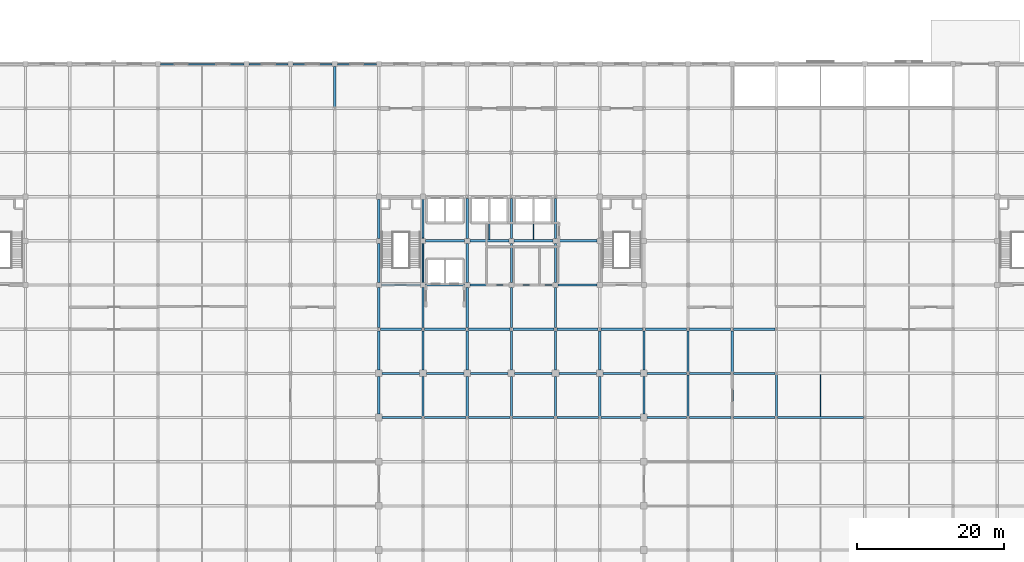
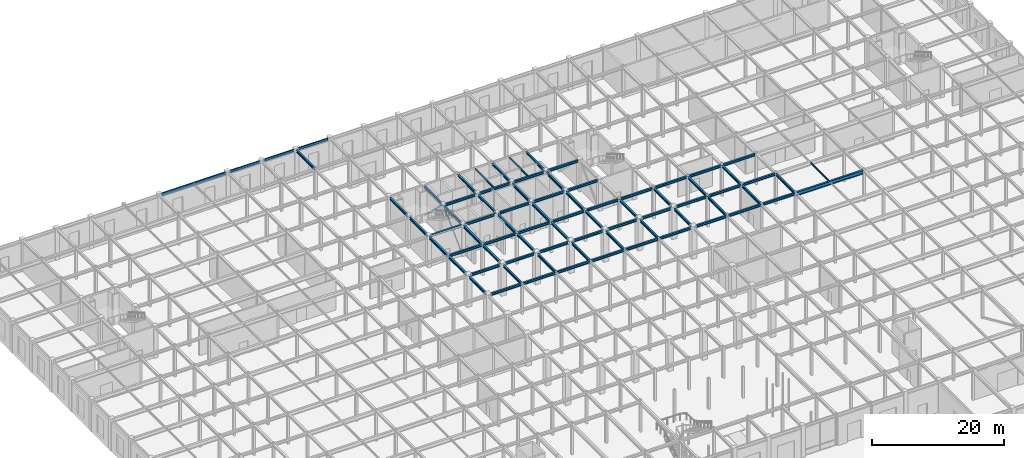
# One storey, part 35 of 51: 79 beams, 2 members.
"""IFC4 building model written with IfcOpenShell, lengths in metres."""

from ifc_helpers import new_model, si_unit, direction, frame, origin, origin_2d, place, context, subcontext, project, spatial, hollow_rectangle, hollow_circle, i_section, extrude, material, material_profile, profile_set, type_object, element, save


model = new_model("IFC4")

# Units and contexts
model_context = context("Model", 3, precision=1e-05, world=origin(), true_north=direction((0.0, 1.0)))
body_context = subcontext(model_context, "Body", "Model", "MODEL_VIEW")
ifc_project = project(units=[si_unit("LENGTHUNIT", "METRE"), si_unit("AREAUNIT", "SQUARE_METRE"), si_unit("VOLUMEUNIT", "CUBIC_METRE"), si_unit("PLANEANGLEUNIT", "RADIAN"), si_unit("MASSUNIT", "GRAM", prefix="KILO")], contexts=[model_context])

# Site, building, storey
site_placement = place(None, origin())
site = spatial("IfcSite", under=ifc_project, at=site_placement, CompositionType="ELEMENT")
building_placement = place(site_placement, origin())
building = spatial("IfcBuilding", under=site, at=building_placement, Name="Zlatovratsky Civic Hall", CompositionType="ELEMENT")
storey_placement = place(building_placement, origin())
storey = spatial("IfcBuildingStorey", under=building, at=storey_placement, Name="L01", CompositionType="ELEMENT", Elevation=0.0)

# Beams
ifc_material = material(Name="Steel S355", Category="steel")
ifc_material_profile_1 = material_profile(ifc_material, i_section(OverallWidth=0.320068359375, OverallDepth=0.68310546875, WebThickness=0.012939453125, FlangeThickness=0.01904296875, FilletRadius=0.02587890625, at=origin_2d()), Name="70Sh1")
ifc_profile_set_1 = profile_set([ifc_material_profile_1], Name="Steel S355")
beam_type_1 = type_object("IfcBeamType", Name="Beam_HallGirder_70Sh1", PredefinedType="BEAM", material=ifc_profile_set_1)
beam_1_placement = place(storey_placement, frame((120.175048828125, 66.0, 5.41845703125), z_axis=(1.0, 0.0, 0.0), x_axis=(0.0, 1.0, 0.0)))
element("IfcBeam", 1, at=beam_1_placement, inside=storey, type_object=beam_type_1, Name="BM-1070", PredefinedType="BEAM", context=body_context, shape_type="SweptSolid", body=[
    extrude(i_section(OverallWidth=0.320068359375, OverallDepth=0.68310546875, WebThickness=0.012939453125, FlangeThickness=0.01904296875, FilletRadius=0.02587890625, at=origin_2d()), origin(), (0.0, 0.0, 1.0), 11.64990234375),
])
ifc_material_profile_2 = material_profile(ifc_material, i_section(OverallWidth=0.198974609375, OverallDepth=0.491943359375, WebThickness=0.0087890625, FlangeThickness=0.011962890625, FilletRadius=0.01611328125, at=origin_2d()), Name="50B1")
ifc_profile_set_2 = profile_set([ifc_material_profile_2], Name="Steel S355")
beam_type_2 = type_object("IfcBeamType", Name="Beam_Spandrel_50B1", PredefinedType="SPANDREL", material=ifc_profile_set_2)
for number, where, z_axis, x_axis, name in (
    (2, (48.35009765625, 114.0, 5.513916015625), (1.0, 0.0, 0.0), (0.0, 1.0, 0.0), "BM-1230"),
    (3, (54.35009765625, 114.0, 5.513916015625), (1.0, 0.0, 0.0), (0.0, 1.0, 0.0), "BM-1231"),
    (4, (60.35009765625, 114.0, 5.513916015625), (1.0, 0.0, 0.0), (0.0, 1.0, 0.0), "BM-1232"),
):
    element("IfcBeam", number, at=place(storey_placement, frame(where, z_axis=z_axis, x_axis=x_axis)), inside=storey, type_object=beam_type_2, Name=name, PredefinedType="SPANDREL", context=body_context, shape_type="SweptSolid", body=[
        extrude(i_section(OverallWidth=0.198974609375, OverallDepth=0.491943359375, WebThickness=0.0087890625, FlangeThickness=0.011962890625, FilletRadius=0.01611328125, at=origin_2d()), origin(), (0.0, 0.0, 1.0), 5.2998046875),
    ])
ifc_material_profile_3 = material_profile(ifc_material, i_section(OverallWidth=0.198974609375, OverallDepth=0.593017578125, WebThickness=0.010498046875, FlangeThickness=0.014892578125, FilletRadius=0.01806640625, at=origin_2d()), Name="60B1")
ifc_profile_set_3 = profile_set([ifc_material_profile_3], Name="Steel S355")
beam_type_3 = type_object("IfcBeamType", Name="Beam_Spandrel_60B1", PredefinedType="SPANDREL", material=ifc_profile_set_3)
beam_2_placement = place(storey_placement, frame((36.35009765625, 114.0, 5.46337890625), z_axis=(1.0, 0.0, 0.0), x_axis=(0.0, 1.0, 0.0)))
element("IfcBeam", 5, at=beam_2_placement, inside=storey, type_object=beam_type_3, Name="BM-1229", PredefinedType="SPANDREL", context=body_context, shape_type="SweptSolid", body=[
    extrude(i_section(OverallWidth=0.198974609375, OverallDepth=0.593017578125, WebThickness=0.010498046875, FlangeThickness=0.014892578125, FilletRadius=0.01806640625, at=origin_2d()), origin(), (0.0, 0.0, 1.0), 11.2998046875),
])
ifc_material_profile_4 = material_profile(ifc_material, i_section(OverallWidth=0.300048828125, OverallDepth=0.43994140625, WebThickness=0.010986328125, FlangeThickness=0.01806640625, FilletRadius=0.02197265625, at=origin_2d()), Name="45Sh1")
ifc_profile_set_4 = profile_set([ifc_material_profile_4], Name="Steel S355")
beam_type_4 = type_object("IfcBeamType", Name="Beam_TowerLow_45Sh1", PredefinedType="BEAM", material=ifc_profile_set_4)
beam_3_placement = place(storey_placement, frame((66.449951171875, 66.0, 5.5400390625), z_axis=(1.0, 0.0, 0.0), x_axis=(0.0, 1.0, 0.0)))
element("IfcBeam", 6, at=beam_3_placement, inside=storey, type_object=beam_type_4, Name="BM-1061", PredefinedType="BEAM", context=body_context, shape_type="SweptSolid", body=[
    extrude(i_section(OverallWidth=0.300048828125, OverallDepth=0.43994140625, WebThickness=0.010986328125, FlangeThickness=0.01806640625, FilletRadius=0.02197265625, at=origin_2d()), origin(), (0.0, 0.0, 1.0), 5.375),
])
for number, where, z_axis, x_axis, name in (
    (7, (72.175048828125, 66.0, 5.5400390625), (1.0, 0.0, 0.0), (0.0, 1.0, 0.0), "BM-1062"),
    (8, (78.175048828125, 66.0, 5.5400390625), (1.0, 0.0, 0.0), (0.0, 1.0, 0.0), "BM-1063"),
    (9, (84.175048828125, 66.0, 5.5400390625), (1.0, 0.0, 0.0), (0.0, 1.0, 0.0), "BM-1064"),
    (10, (90.175048828125, 66.0, 5.5400390625), (1.0, 0.0, 0.0), (0.0, 1.0, 0.0), "BM-1065"),
):
    element("IfcBeam", number, at=place(storey_placement, frame(where, z_axis=z_axis, x_axis=x_axis)), inside=storey, type_object=beam_type_4, Name=name, PredefinedType="BEAM", context=body_context, shape_type="SweptSolid", body=[
        extrude(i_section(OverallWidth=0.300048828125, OverallDepth=0.43994140625, WebThickness=0.010986328125, FlangeThickness=0.01806640625, FilletRadius=0.02197265625, at=origin_2d()), origin(), (0.0, 0.0, 1.0), 5.64990234375),
    ])
for number, where, z_axis, x_axis, name in (
    (11, (96.175048828125, 66.0, 5.5400390625), (1.0, 0.0, 0.0), (0.0, 1.0, 0.0), "BM-1066"),
    (12, (102.449951171875, 66.0, 5.5400390625), (1.0, 0.0, 0.0), (0.0, 1.0, 0.0), "BM-1067"),
):
    element("IfcBeam", number, at=place(storey_placement, frame(where, z_axis=z_axis, x_axis=x_axis)), inside=storey, type_object=beam_type_4, Name=name, PredefinedType="BEAM", context=body_context, shape_type="SweptSolid", body=[
        extrude(i_section(OverallWidth=0.300048828125, OverallDepth=0.43994140625, WebThickness=0.010986328125, FlangeThickness=0.01806640625, FilletRadius=0.02197265625, at=origin_2d()), origin(), (0.0, 0.0, 1.0), 5.375),
    ])
for number, where, z_axis, x_axis, name in (
    (13, (108.175048828125, 66.0, 5.5400390625), (1.0, 0.0, 0.0), (0.0, 1.0, 0.0), "BM-1068"),
    (14, (114.175048828125, 66.0, 5.5400390625), (1.0, 0.0, 0.0), (0.0, 1.0, 0.0), "BM-1069"),
):
    element("IfcBeam", number, at=place(storey_placement, frame(where, z_axis=z_axis, x_axis=x_axis)), inside=storey, type_object=beam_type_4, Name=name, PredefinedType="BEAM", context=body_context, shape_type="SweptSolid", body=[
        extrude(i_section(OverallWidth=0.300048828125, OverallDepth=0.43994140625, WebThickness=0.010986328125, FlangeThickness=0.01806640625, FilletRadius=0.02197265625, at=origin_2d()), origin(), (0.0, 0.0, 1.0), 5.64990234375),
    ])
for number, where, z_axis, x_axis, name in (
    (15, (66.449951171875, 72.0, 5.5400390625), (1.0, 0.0, 0.0), (0.0, 1.0, 0.0), "BM-1083"),
    (16, (72.449951171875, 72.0, 5.5400390625), (1.0, 0.0, 0.0), (0.0, 1.0, 0.0), "BM-1084"),
    (17, (78.449951171875, 72.0, 5.5400390625), (1.0, 0.0, 0.0), (0.0, 1.0, 0.0), "BM-1085"),
    (18, (84.449951171875, 72.0, 5.5400390625), (1.0, 0.0, 0.0), (0.0, 1.0, 0.0), "BM-1086"),
    (19, (90.449951171875, 72.0, 5.5400390625), (1.0, 0.0, 0.0), (0.0, 1.0, 0.0), "BM-1087"),
    (20, (96.449951171875, 72.0, 5.5400390625), (1.0, 0.0, 0.0), (0.0, 1.0, 0.0), "BM-1088"),
):
    element("IfcBeam", number, at=place(storey_placement, frame(where, z_axis=z_axis, x_axis=x_axis)), inside=storey, type_object=beam_type_4, Name=name, PredefinedType="BEAM", context=body_context, shape_type="SweptSolid", body=[
        extrude(i_section(OverallWidth=0.300048828125, OverallDepth=0.43994140625, WebThickness=0.010986328125, FlangeThickness=0.01806640625, FilletRadius=0.02197265625, at=origin_2d()), origin(), (0.0, 0.0, 1.0), 5.10009765625),
    ])
beam_4_placement = place(storey_placement, frame((102.449951171875, 72.0, 5.5400390625), z_axis=(1.0, 0.0, 0.0), x_axis=(0.0, 1.0, 0.0)))
element("IfcBeam", 21, at=beam_4_placement, inside=storey, type_object=beam_type_4, Name="BM-1089", PredefinedType="BEAM", context=body_context, shape_type="SweptSolid", body=[
    extrude(i_section(OverallWidth=0.300048828125, OverallDepth=0.43994140625, WebThickness=0.010986328125, FlangeThickness=0.01806640625, FilletRadius=0.02197265625, at=origin_2d()), origin(), (0.0, 0.0, 1.0), 5.345458984375),
])
beam_5_placement = place(storey_placement, frame((108.20458984375, 72.0, 5.5400390625), z_axis=(1.0, 0.0, 0.0), x_axis=(0.0, 1.0, 0.0)))
element("IfcBeam", 22, at=beam_5_placement, inside=storey, type_object=beam_type_4, Name="BM-1090", PredefinedType="BEAM", context=body_context, shape_type="SweptSolid", body=[
    extrude(i_section(OverallWidth=0.300048828125, OverallDepth=0.43994140625, WebThickness=0.010986328125, FlangeThickness=0.01806640625, FilletRadius=0.02197265625, at=origin_2d()), origin(), (0.0, 0.0, 1.0), 5.5908203125),
])
beam_6_placement = place(storey_placement, frame((114.20458984375, 72.0, 5.5400390625), z_axis=(1.0, 0.0, 0.0), x_axis=(0.0, 1.0, 0.0)))
element("IfcBeam", 23, at=beam_6_placement, inside=storey, type_object=beam_type_4, Name="BM-1091", PredefinedType="BEAM", context=body_context, shape_type="SweptSolid", body=[
    extrude(i_section(OverallWidth=0.300048828125, OverallDepth=0.43994140625, WebThickness=0.010986328125, FlangeThickness=0.01806640625, FilletRadius=0.02197265625, at=origin_2d()), origin(), (0.0, 0.0, 1.0), 5.620361328125),
])
for number, where, z_axis, x_axis, name in (
    (24, (66.20458984375, 78.0, 5.5400390625), (1.0, 0.0, 0.0), (0.0, 1.0, 0.0), "BM-1105"),
    (25, (72.20458984375, 78.0, 5.5400390625), (1.0, 0.0, 0.0), (0.0, 1.0, 0.0), "BM-1106"),
    (26, (78.20458984375, 78.0, 5.5400390625), (1.0, 0.0, 0.0), (0.0, 1.0, 0.0), "BM-1107"),
    (27, (84.20458984375, 78.0, 5.5400390625), (1.0, 0.0, 0.0), (0.0, 1.0, 0.0), "BM-1108"),
    (28, (90.20458984375, 78.0, 5.5400390625), (1.0, 0.0, 0.0), (0.0, 1.0, 0.0), "BM-1109"),
    (29, (96.20458984375, 78.0, 5.5400390625), (1.0, 0.0, 0.0), (0.0, 1.0, 0.0), "BM-1110"),
    (30, (102.20458984375, 78.0, 5.5400390625), (1.0, 0.0, 0.0), (0.0, 1.0, 0.0), "BM-1111"),
    (31, (108.20458984375, 78.0, 5.5400390625), (1.0, 0.0, 0.0), (0.0, 1.0, 0.0), "BM-1112"),
):
    element("IfcBeam", number, at=place(storey_placement, frame(where, z_axis=z_axis, x_axis=x_axis)), inside=storey, type_object=beam_type_4, Name=name, PredefinedType="BEAM", context=body_context, shape_type="SweptSolid", body=[
        extrude(i_section(OverallWidth=0.300048828125, OverallDepth=0.43994140625, WebThickness=0.010986328125, FlangeThickness=0.01806640625, FilletRadius=0.02197265625, at=origin_2d()), origin(), (0.0, 0.0, 1.0), 5.5908203125),
    ])
beam_7_placement = place(storey_placement, frame((114.20458984375, 78.0, 5.5400390625), z_axis=(1.0, 0.0, 0.0), x_axis=(0.0, 1.0, 0.0)))
element("IfcBeam", 32, at=beam_7_placement, inside=storey, type_object=beam_type_4, Name="BM-1113", PredefinedType="BEAM", context=body_context, shape_type="SweptSolid", body=[
    extrude(i_section(OverallWidth=0.300048828125, OverallDepth=0.43994140625, WebThickness=0.010986328125, FlangeThickness=0.01806640625, FilletRadius=0.02197265625, at=origin_2d()), origin(), (0.0, 0.0, 1.0), 5.620361328125),
])
for number, where, z_axis, x_axis, name in (
    (33, (66.35009765625, 84.0, 5.5400390625), (1.0, 0.0, 0.0), (0.0, 1.0, 0.0), "BM-1127"),
    (34, (72.35009765625, 84.0, 5.5400390625), (1.0, 0.0, 0.0), (0.0, 1.0, 0.0), "BM-1128"),
    (35, (78.35009765625, 84.0, 5.5400390625), (1.0, 0.0, 0.0), (0.0, 1.0, 0.0), "BM-1129"),
    (36, (84.35009765625, 84.0, 5.5400390625), (1.0, 0.0, 0.0), (0.0, 1.0, 0.0), "BM-1130"),
    (37, (90.35009765625, 84.0, 5.5400390625), (1.0, 0.0, 0.0), (0.0, 1.0, 0.0), "BM-1131"),
    (38, (72.35009765625, 90.0, 5.5400390625), (1.0, 0.0, 0.0), (0.0, 1.0, 0.0), "BM-1148"),
    (39, (78.35009765625, 90.0, 5.5400390625), (1.0, 0.0, 0.0), (0.0, 1.0, 0.0), "BM-1149"),
    (40, (84.35009765625, 90.0, 5.5400390625), (1.0, 0.0, 0.0), (0.0, 1.0, 0.0), "BM-1150"),
    (41, (90.35009765625, 90.0, 5.5400390625), (1.0, 0.0, 0.0), (0.0, 1.0, 0.0), "BM-1151"),
):
    element("IfcBeam", number, at=place(storey_placement, frame(where, z_axis=z_axis, x_axis=x_axis)), inside=storey, type_object=beam_type_4, Name=name, PredefinedType="BEAM", context=body_context, shape_type="SweptSolid", body=[
        extrude(i_section(OverallWidth=0.300048828125, OverallDepth=0.43994140625, WebThickness=0.010986328125, FlangeThickness=0.01806640625, FilletRadius=0.02197265625, at=origin_2d()), origin(), (0.0, 0.0, 1.0), 5.2998046875),
    ])
beam_8_placement = place(storey_placement, frame((60.0, 108.214599609375, 5.5400390625), z_axis=(0.0, 1.0, 0.0), x_axis=(-1.0, 0.0, 0.0)))
element("IfcBeam", 42, at=beam_8_placement, inside=storey, type_object=beam_type_4, Name="BM-1381", PredefinedType="BEAM", context=body_context, shape_type="SweptSolid", body=[
    extrude(i_section(OverallWidth=0.300048828125, OverallDepth=0.43994140625, WebThickness=0.010986328125, FlangeThickness=0.01806640625, FilletRadius=0.02197265625, at=origin_2d()), origin(), (0.0, 0.0, 1.0), 5.435302734375),
])
beam_9_placement = place(storey_placement, frame((66.0, 66.449951171875, 5.5400390625), z_axis=(0.0, 1.0, 0.0), x_axis=(-1.0, 0.0, 0.0)))
element("IfcBeam", 43, at=beam_9_placement, inside=storey, type_object=beam_type_4, Name="BM-1390", PredefinedType="BEAM", context=body_context, shape_type="SweptSolid", body=[
    extrude(i_section(OverallWidth=0.300048828125, OverallDepth=0.43994140625, WebThickness=0.010986328125, FlangeThickness=0.01806640625, FilletRadius=0.02197265625, at=origin_2d()), origin(), (0.0, 0.0, 1.0), 5.10009765625),
])
beam_10_placement = place(storey_placement, frame((66.0, 72.449951171875, 5.5400390625), z_axis=(0.0, 1.0, 0.0), x_axis=(-1.0, 0.0, 0.0)))
element("IfcBeam", 44, at=beam_10_placement, inside=storey, type_object=beam_type_4, Name="BM-1391", PredefinedType="BEAM", context=body_context, shape_type="SweptSolid", body=[
    extrude(i_section(OverallWidth=0.300048828125, OverallDepth=0.43994140625, WebThickness=0.010986328125, FlangeThickness=0.01806640625, FilletRadius=0.02197265625, at=origin_2d()), origin(), (0.0, 0.0, 1.0), 5.33544921875),
])
beam_11_placement = place(storey_placement, frame((66.0, 78.214599609375, 5.5400390625), z_axis=(0.0, 1.0, 0.0), x_axis=(-1.0, 0.0, 0.0)))
element("IfcBeam", 45, at=beam_11_placement, inside=storey, type_object=beam_type_4, Name="BM-1392", PredefinedType="BEAM", context=body_context, shape_type="SweptSolid", body=[
    extrude(i_section(OverallWidth=0.300048828125, OverallDepth=0.43994140625, WebThickness=0.010986328125, FlangeThickness=0.01806640625, FilletRadius=0.02197265625, at=origin_2d()), origin(), (0.0, 0.0, 1.0), 5.435302734375),
])
for number, where, z_axis, x_axis, name in (
    (46, (66.0, 84.35009765625, 5.5400390625), (0.0, 1.0, 0.0), (-1.0, 0.0, 0.0), "BM-1393"),
    (47, (66.0, 90.35009765625, 5.5400390625), (0.0, 1.0, 0.0), (-1.0, 0.0, 0.0), "BM-1394"),
):
    element("IfcBeam", number, at=place(storey_placement, frame(where, z_axis=z_axis, x_axis=x_axis)), inside=storey, type_object=beam_type_4, Name=name, PredefinedType="BEAM", context=body_context, shape_type="SweptSolid", body=[
        extrude(i_section(OverallWidth=0.300048828125, OverallDepth=0.43994140625, WebThickness=0.010986328125, FlangeThickness=0.01806640625, FilletRadius=0.02197265625, at=origin_2d()), origin(), (0.0, 0.0, 1.0), 5.2998046875),
    ])
beam_12_placement = place(storey_placement, frame((72.0, 66.17138671875, 5.5400390625), z_axis=(0.0, 1.0, 0.0), x_axis=(-1.0, 0.0, 0.0)))
element("IfcBeam", 48, at=beam_12_placement, inside=storey, type_object=beam_type_4, Name="BM-1406", PredefinedType="BEAM", context=body_context, shape_type="SweptSolid", body=[
    extrude(i_section(OverallWidth=0.300048828125, OverallDepth=0.43994140625, WebThickness=0.010986328125, FlangeThickness=0.01806640625, FilletRadius=0.02197265625, at=origin_2d()), origin(), (0.0, 0.0, 1.0), 5.378662109375),
])
beam_13_placement = place(storey_placement, frame((72.0, 72.449951171875, 5.5400390625), z_axis=(0.0, 1.0, 0.0), x_axis=(-1.0, 0.0, 0.0)))
element("IfcBeam", 49, at=beam_13_placement, inside=storey, type_object=beam_type_4, Name="BM-1407", PredefinedType="BEAM", context=body_context, shape_type="SweptSolid", body=[
    extrude(i_section(OverallWidth=0.300048828125, OverallDepth=0.43994140625, WebThickness=0.010986328125, FlangeThickness=0.01806640625, FilletRadius=0.02197265625, at=origin_2d()), origin(), (0.0, 0.0, 1.0), 5.33544921875),
])
beam_14_placement = place(storey_placement, frame((72.0, 78.214599609375, 5.5400390625), z_axis=(0.0, 1.0, 0.0), x_axis=(-1.0, 0.0, 0.0)))
element("IfcBeam", 50, at=beam_14_placement, inside=storey, type_object=beam_type_4, Name="BM-1408", PredefinedType="BEAM", context=body_context, shape_type="SweptSolid", body=[
    extrude(i_section(OverallWidth=0.300048828125, OverallDepth=0.43994140625, WebThickness=0.010986328125, FlangeThickness=0.01806640625, FilletRadius=0.02197265625, at=origin_2d()), origin(), (0.0, 0.0, 1.0), 5.435302734375),
])
for number, where, z_axis, x_axis, name in (
    (51, (72.0, 84.35009765625, 5.5400390625), (0.0, 1.0, 0.0), (-1.0, 0.0, 0.0), "BM-1409"),
    (52, (72.0, 90.35009765625, 5.5400390625), (0.0, 1.0, 0.0), (-1.0, 0.0, 0.0), "BM-1410"),
):
    element("IfcBeam", number, at=place(storey_placement, frame(where, z_axis=z_axis, x_axis=x_axis)), inside=storey, type_object=beam_type_4, Name=name, PredefinedType="BEAM", context=body_context, shape_type="SweptSolid", body=[
        extrude(i_section(OverallWidth=0.300048828125, OverallDepth=0.43994140625, WebThickness=0.010986328125, FlangeThickness=0.01806640625, FilletRadius=0.02197265625, at=origin_2d()), origin(), (0.0, 0.0, 1.0), 5.2998046875),
    ])
beam_15_placement = place(storey_placement, frame((78.0, 66.17138671875, 5.5400390625), z_axis=(0.0, 1.0, 0.0), x_axis=(-1.0, 0.0, 0.0)))
element("IfcBeam", 53, at=beam_15_placement, inside=storey, type_object=beam_type_4, Name="BM-1420", PredefinedType="BEAM", context=body_context, shape_type="SweptSolid", body=[
    extrude(i_section(OverallWidth=0.300048828125, OverallDepth=0.43994140625, WebThickness=0.010986328125, FlangeThickness=0.01806640625, FilletRadius=0.02197265625, at=origin_2d()), origin(), (0.0, 0.0, 1.0), 5.378662109375),
])
beam_16_placement = place(storey_placement, frame((78.0, 72.449951171875, 5.5400390625), z_axis=(0.0, 1.0, 0.0), x_axis=(-1.0, 0.0, 0.0)))
element("IfcBeam", 54, at=beam_16_placement, inside=storey, type_object=beam_type_4, Name="BM-1421", PredefinedType="BEAM", context=body_context, shape_type="SweptSolid", body=[
    extrude(i_section(OverallWidth=0.300048828125, OverallDepth=0.43994140625, WebThickness=0.010986328125, FlangeThickness=0.01806640625, FilletRadius=0.02197265625, at=origin_2d()), origin(), (0.0, 0.0, 1.0), 5.33544921875),
])
beam_17_placement = place(storey_placement, frame((78.0, 78.214599609375, 5.5400390625), z_axis=(0.0, 1.0, 0.0), x_axis=(-1.0, 0.0, 0.0)))
element("IfcBeam", 55, at=beam_17_placement, inside=storey, type_object=beam_type_4, Name="BM-1422", PredefinedType="BEAM", context=body_context, shape_type="SweptSolid", body=[
    extrude(i_section(OverallWidth=0.300048828125, OverallDepth=0.43994140625, WebThickness=0.010986328125, FlangeThickness=0.01806640625, FilletRadius=0.02197265625, at=origin_2d()), origin(), (0.0, 0.0, 1.0), 5.435302734375),
])
beam_18_placement = place(storey_placement, frame((78.0, 84.35009765625, 5.5400390625), z_axis=(0.0, 1.0, 0.0), x_axis=(-1.0, 0.0, 0.0)))
element("IfcBeam", 56, at=beam_18_placement, inside=storey, type_object=beam_type_4, Name="BM-1423", PredefinedType="BEAM", context=body_context, shape_type="SweptSolid", body=[
    extrude(i_section(OverallWidth=0.300048828125, OverallDepth=0.43994140625, WebThickness=0.010986328125, FlangeThickness=0.01806640625, FilletRadius=0.02197265625, at=origin_2d()), origin(), (0.0, 0.0, 1.0), 5.2998046875),
])
beam_19_placement = place(storey_placement, frame((78.0, 90.35009765625, 5.5400390625), z_axis=(0.0, 1.0, 0.0), x_axis=(-1.0, 0.0, 0.0)))
element("IfcBeam", 57, at=beam_19_placement, inside=storey, type_object=beam_type_4, Name="BM-1424", PredefinedType="BEAM", context=body_context, shape_type="SweptSolid", body=[
    extrude(i_section(OverallWidth=0.300048828125, OverallDepth=0.43994140625, WebThickness=0.010986328125, FlangeThickness=0.01806640625, FilletRadius=0.02197265625, at=origin_2d()), origin(), (0.0, 0.0, 1.0), 5.435302734375),
])
beam_20_placement = place(storey_placement, frame((84.0, 66.17138671875, 5.5400390625), z_axis=(0.0, 1.0, 0.0), x_axis=(-1.0, 0.0, 0.0)))
element("IfcBeam", 58, at=beam_20_placement, inside=storey, type_object=beam_type_4, Name="BM-1434", PredefinedType="BEAM", context=body_context, shape_type="SweptSolid", body=[
    extrude(i_section(OverallWidth=0.300048828125, OverallDepth=0.43994140625, WebThickness=0.010986328125, FlangeThickness=0.01806640625, FilletRadius=0.02197265625, at=origin_2d()), origin(), (0.0, 0.0, 1.0), 5.378662109375),
])
beam_21_placement = place(storey_placement, frame((84.0, 72.449951171875, 5.5400390625), z_axis=(0.0, 1.0, 0.0), x_axis=(-1.0, 0.0, 0.0)))
element("IfcBeam", 59, at=beam_21_placement, inside=storey, type_object=beam_type_4, Name="BM-1435", PredefinedType="BEAM", context=body_context, shape_type="SweptSolid", body=[
    extrude(i_section(OverallWidth=0.300048828125, OverallDepth=0.43994140625, WebThickness=0.010986328125, FlangeThickness=0.01806640625, FilletRadius=0.02197265625, at=origin_2d()), origin(), (0.0, 0.0, 1.0), 5.33544921875),
])
beam_22_placement = place(storey_placement, frame((84.0, 78.214599609375, 5.5400390625), z_axis=(0.0, 1.0, 0.0), x_axis=(-1.0, 0.0, 0.0)))
element("IfcBeam", 60, at=beam_22_placement, inside=storey, type_object=beam_type_4, Name="BM-1436", PredefinedType="BEAM", context=body_context, shape_type="SweptSolid", body=[
    extrude(i_section(OverallWidth=0.300048828125, OverallDepth=0.43994140625, WebThickness=0.010986328125, FlangeThickness=0.01806640625, FilletRadius=0.02197265625, at=origin_2d()), origin(), (0.0, 0.0, 1.0), 5.435302734375),
])
beam_23_placement = place(storey_placement, frame((84.0, 84.35009765625, 5.5400390625), z_axis=(0.0, 1.0, 0.0), x_axis=(-1.0, 0.0, 0.0)))
element("IfcBeam", 61, at=beam_23_placement, inside=storey, type_object=beam_type_4, Name="BM-1437", PredefinedType="BEAM", context=body_context, shape_type="SweptSolid", body=[
    extrude(i_section(OverallWidth=0.300048828125, OverallDepth=0.43994140625, WebThickness=0.010986328125, FlangeThickness=0.01806640625, FilletRadius=0.02197265625, at=origin_2d()), origin(), (0.0, 0.0, 1.0), 5.2998046875),
])
beam_24_placement = place(storey_placement, frame((84.0, 90.35009765625, 5.5400390625), z_axis=(0.0, 1.0, 0.0), x_axis=(-1.0, 0.0, 0.0)))
element("IfcBeam", 62, at=beam_24_placement, inside=storey, type_object=beam_type_4, Name="BM-1438", PredefinedType="BEAM", context=body_context, shape_type="SweptSolid", body=[
    extrude(i_section(OverallWidth=0.300048828125, OverallDepth=0.43994140625, WebThickness=0.010986328125, FlangeThickness=0.01806640625, FilletRadius=0.02197265625, at=origin_2d()), origin(), (0.0, 0.0, 1.0), 5.435302734375),
])
beam_25_placement = place(storey_placement, frame((90.0, 66.17138671875, 5.5400390625), z_axis=(0.0, 1.0, 0.0), x_axis=(-1.0, 0.0, 0.0)))
element("IfcBeam", 63, at=beam_25_placement, inside=storey, type_object=beam_type_4, Name="BM-1448", PredefinedType="BEAM", context=body_context, shape_type="SweptSolid", body=[
    extrude(i_section(OverallWidth=0.300048828125, OverallDepth=0.43994140625, WebThickness=0.010986328125, FlangeThickness=0.01806640625, FilletRadius=0.02197265625, at=origin_2d()), origin(), (0.0, 0.0, 1.0), 5.378662109375),
])
beam_26_placement = place(storey_placement, frame((90.0, 72.449951171875, 5.5400390625), z_axis=(0.0, 1.0, 0.0), x_axis=(-1.0, 0.0, 0.0)))
element("IfcBeam", 64, at=beam_26_placement, inside=storey, type_object=beam_type_4, Name="BM-1449", PredefinedType="BEAM", context=body_context, shape_type="SweptSolid", body=[
    extrude(i_section(OverallWidth=0.300048828125, OverallDepth=0.43994140625, WebThickness=0.010986328125, FlangeThickness=0.01806640625, FilletRadius=0.02197265625, at=origin_2d()), origin(), (0.0, 0.0, 1.0), 5.33544921875),
])
beam_27_placement = place(storey_placement, frame((90.0, 78.214599609375, 5.5400390625), z_axis=(0.0, 1.0, 0.0), x_axis=(-1.0, 0.0, 0.0)))
element("IfcBeam", 65, at=beam_27_placement, inside=storey, type_object=beam_type_4, Name="BM-1450", PredefinedType="BEAM", context=body_context, shape_type="SweptSolid", body=[
    extrude(i_section(OverallWidth=0.300048828125, OverallDepth=0.43994140625, WebThickness=0.010986328125, FlangeThickness=0.01806640625, FilletRadius=0.02197265625, at=origin_2d()), origin(), (0.0, 0.0, 1.0), 5.435302734375),
])
beam_28_placement = place(storey_placement, frame((90.0, 84.35009765625, 5.5400390625), z_axis=(0.0, 1.0, 0.0), x_axis=(-1.0, 0.0, 0.0)))
element("IfcBeam", 66, at=beam_28_placement, inside=storey, type_object=beam_type_4, Name="BM-1451", PredefinedType="BEAM", context=body_context, shape_type="SweptSolid", body=[
    extrude(i_section(OverallWidth=0.300048828125, OverallDepth=0.43994140625, WebThickness=0.010986328125, FlangeThickness=0.01806640625, FilletRadius=0.02197265625, at=origin_2d()), origin(), (0.0, 0.0, 1.0), 5.2998046875),
])
beam_29_placement = place(storey_placement, frame((90.0, 90.35009765625, 5.5400390625), z_axis=(0.0, 1.0, 0.0), x_axis=(-1.0, 0.0, 0.0)))
element("IfcBeam", 67, at=beam_29_placement, inside=storey, type_object=beam_type_4, Name="BM-1452", PredefinedType="BEAM", context=body_context, shape_type="SweptSolid", body=[
    extrude(i_section(OverallWidth=0.300048828125, OverallDepth=0.43994140625, WebThickness=0.010986328125, FlangeThickness=0.01806640625, FilletRadius=0.02197265625, at=origin_2d()), origin(), (0.0, 0.0, 1.0), 5.435302734375),
])
beam_30_placement = place(storey_placement, frame((96.0, 66.17138671875, 5.5400390625), z_axis=(0.0, 1.0, 0.0), x_axis=(-1.0, 0.0, 0.0)))
element("IfcBeam", 68, at=beam_30_placement, inside=storey, type_object=beam_type_4, Name="BM-1464", PredefinedType="BEAM", context=body_context, shape_type="SweptSolid", body=[
    extrude(i_section(OverallWidth=0.300048828125, OverallDepth=0.43994140625, WebThickness=0.010986328125, FlangeThickness=0.01806640625, FilletRadius=0.02197265625, at=origin_2d()), origin(), (0.0, 0.0, 1.0), 5.378662109375),
])
beam_31_placement = place(storey_placement, frame((96.0, 72.449951171875, 5.5400390625), z_axis=(0.0, 1.0, 0.0), x_axis=(-1.0, 0.0, 0.0)))
element("IfcBeam", 69, at=beam_31_placement, inside=storey, type_object=beam_type_4, Name="BM-1465", PredefinedType="BEAM", context=body_context, shape_type="SweptSolid", body=[
    extrude(i_section(OverallWidth=0.300048828125, OverallDepth=0.43994140625, WebThickness=0.010986328125, FlangeThickness=0.01806640625, FilletRadius=0.02197265625, at=origin_2d()), origin(), (0.0, 0.0, 1.0), 5.33544921875),
])
beam_32_placement = place(storey_placement, frame((102.0, 66.449951171875, 5.5400390625), z_axis=(0.0, 1.0, 0.0), x_axis=(-1.0, 0.0, 0.0)))
element("IfcBeam", 70, at=beam_32_placement, inside=storey, type_object=beam_type_4, Name="BM-1480", PredefinedType="BEAM", context=body_context, shape_type="SweptSolid", body=[
    extrude(i_section(OverallWidth=0.300048828125, OverallDepth=0.43994140625, WebThickness=0.010986328125, FlangeThickness=0.01806640625, FilletRadius=0.02197265625, at=origin_2d()), origin(), (0.0, 0.0, 1.0), 5.10009765625),
])
beam_33_placement = place(storey_placement, frame((102.0, 72.449951171875, 5.5400390625), z_axis=(0.0, 1.0, 0.0), x_axis=(-1.0, 0.0, 0.0)))
element("IfcBeam", 71, at=beam_33_placement, inside=storey, type_object=beam_type_4, Name="BM-1481", PredefinedType="BEAM", context=body_context, shape_type="SweptSolid", body=[
    extrude(i_section(OverallWidth=0.300048828125, OverallDepth=0.43994140625, WebThickness=0.010986328125, FlangeThickness=0.01806640625, FilletRadius=0.02197265625, at=origin_2d()), origin(), (0.0, 0.0, 1.0), 5.33544921875),
])
beam_34_placement = place(storey_placement, frame((108.0, 66.17138671875, 5.5400390625), z_axis=(0.0, 1.0, 0.0), x_axis=(-1.0, 0.0, 0.0)))
element("IfcBeam", 72, at=beam_34_placement, inside=storey, type_object=beam_type_4, Name="BM-1496", PredefinedType="BEAM", context=body_context, shape_type="SweptSolid", body=[
    extrude(i_section(OverallWidth=0.300048828125, OverallDepth=0.43994140625, WebThickness=0.010986328125, FlangeThickness=0.01806640625, FilletRadius=0.02197265625, at=origin_2d()), origin(), (0.0, 0.0, 1.0), 5.614013671875),
])
beam_35_placement = place(storey_placement, frame((108.0, 72.214599609375, 5.5400390625), z_axis=(0.0, 1.0, 0.0), x_axis=(-1.0, 0.0, 0.0)))
element("IfcBeam", 73, at=beam_35_placement, inside=storey, type_object=beam_type_4, Name="BM-1497", PredefinedType="BEAM", context=body_context, shape_type="SweptSolid", body=[
    extrude(i_section(OverallWidth=0.300048828125, OverallDepth=0.43994140625, WebThickness=0.010986328125, FlangeThickness=0.01806640625, FilletRadius=0.02197265625, at=origin_2d()), origin(), (0.0, 0.0, 1.0), 5.57080078125),
])
beam_36_placement = place(storey_placement, frame((114.0, 66.17138671875, 5.5400390625), z_axis=(0.0, 1.0, 0.0), x_axis=(-1.0, 0.0, 0.0)))
element("IfcBeam", 74, at=beam_36_placement, inside=storey, type_object=beam_type_4, Name="BM-1513", PredefinedType="BEAM", context=body_context, shape_type="SweptSolid", body=[
    extrude(i_section(OverallWidth=0.300048828125, OverallDepth=0.43994140625, WebThickness=0.010986328125, FlangeThickness=0.01806640625, FilletRadius=0.02197265625, at=origin_2d()), origin(), (0.0, 0.0, 1.0), 5.614013671875),
])
beam_37_placement = place(storey_placement, frame((114.0, 72.214599609375, 5.5400390625), z_axis=(0.0, 1.0, 0.0), x_axis=(-1.0, 0.0, 0.0)))
element("IfcBeam", 75, at=beam_37_placement, inside=storey, type_object=beam_type_4, Name="BM-1514", PredefinedType="BEAM", context=body_context, shape_type="SweptSolid", body=[
    extrude(i_section(OverallWidth=0.300048828125, OverallDepth=0.43994140625, WebThickness=0.010986328125, FlangeThickness=0.01806640625, FilletRadius=0.02197265625, at=origin_2d()), origin(), (0.0, 0.0, 1.0), 5.57080078125),
])
beam_38_placement = place(storey_placement, frame((120.0, 66.17138671875, 5.5400390625), z_axis=(0.0, 1.0, 0.0), x_axis=(-1.0, 0.0, 0.0)))
element("IfcBeam", 76, at=beam_38_placement, inside=storey, type_object=beam_type_4, Name="BM-1530", PredefinedType="BEAM", context=body_context, shape_type="SweptSolid", body=[
    extrude(i_section(OverallWidth=0.300048828125, OverallDepth=0.43994140625, WebThickness=0.010986328125, FlangeThickness=0.01806640625, FilletRadius=0.02197265625, at=origin_2d()), origin(), (0.0, 0.0, 1.0), 5.6572265625),
])

# Members
ifc_material_profile_5 = material_profile(ifc_material, hollow_circle(Radius=0.109619140625, WallThickness=0.008056640625, at=origin_2d()), Name="CHS 219x8")
ifc_profile_set_5 = profile_set([ifc_material_profile_5], Name="Steel S355")
member_type_1 = type_object("IfcMemberType", Name="Brace_AtriumStrut_CHS219", PredefinedType="BRACE", material=ifc_profile_set_5)
member_1_placement = place(storey_placement, frame((72.0, 84.35009765625, 0.25), z_axis=(0.0, 0.713799145226, 0.700350469604), x_axis=(-1.0, 0.0, 0.0)))
element("IfcMember", 77, at=member_1_placement, inside=storey, type_object=member_type_1, Name="MB-0092", PredefinedType="BRACE", context=body_context, shape_type="SweptSolid", body=[
    extrude(hollow_circle(Radius=0.109619140625, WallThickness=0.008056640625, at=origin_2d()), origin(), (0.0, 0.0, 1.0), 7.4248046875),
])
ifc_material_profile_6 = material_profile(ifc_material, hollow_rectangle(XDim=0.219970703125, YDim=0.219970703125, WallThickness=0.010009765625, at=origin_2d()), Name="SHS 220x220x10")
ifc_profile_set_6 = profile_set([ifc_material_profile_6], Name="Steel S355")
member_type_2 = type_object("IfcMemberType", Name="Brace_Podium_SHS220", PredefinedType="BRACE", material=ifc_profile_set_6)
member_2_placement = place(storey_placement, frame((72.0, 90.35009765625, 5.449951171875), z_axis=(0.0, 0.713799145226, -0.700350469604), x_axis=(-1.0, 0.0, 0.0)))
element("IfcMember", 78, at=member_2_placement, inside=storey, type_object=member_type_2, Name="MB-0093", PredefinedType="BRACE", context=body_context, shape_type="SweptSolid", body=[
    extrude(hollow_rectangle(XDim=0.219970703125, YDim=0.219970703125, WallThickness=0.010009765625, at=origin_2d()), origin(), (0.0, 0.0, 1.0), 7.4248046875),
])

# Beams
ifc_material_profile_7 = material_profile(ifc_material, i_section(OverallWidth=0.14990234375, OverallDepth=0.300048828125, WebThickness=0.006591796875, FlangeThickness=0.009033203125, FilletRadius=0.012939453125, at=origin_2d()), Name="30B2")
ifc_profile_set_7 = profile_set([ifc_material_profile_7], Name="Steel S355")
beam_type_5 = type_object("IfcBeamType", Name="Joist_Podium_30B2", PredefinedType="JOIST", material=ifc_profile_set_7)
beam_39_placement = place(storey_placement, frame((126.0, 66.159912109375, 5.610107421875), z_axis=(0.0, 1.0, 0.0), x_axis=(-1.0, 0.0, 0.0)))
element("IfcBeam", 79, at=beam_39_placement, inside=storey, type_object=beam_type_5, Name="BM-1680", PredefinedType="JOIST", context=body_context, shape_type="SweptSolid", body=[
    extrude(i_section(OverallWidth=0.14990234375, OverallDepth=0.300048828125, WebThickness=0.006591796875, FlangeThickness=0.009033203125, FilletRadius=0.012939453125, at=origin_2d()), origin(), (0.0, 0.0, 1.0), 5.68017578125),
])
for number, where, z_axis, x_axis, name in (
    (80, (81.0, 90.14990234375, 5.610107421875), (0.0, 1.0, 0.0), (-1.0, 0.0, 0.0), "BM-1704"),
    (81, (87.0, 90.14990234375, 5.610107421875), (0.0, 1.0, 0.0), (-1.0, 0.0, 0.0), "BM-1705"),
):
    element("IfcBeam", number, at=place(storey_placement, frame(where, z_axis=z_axis, x_axis=x_axis)), inside=storey, type_object=beam_type_5, Name=name, PredefinedType="JOIST", context=body_context, shape_type="SweptSolid", body=[
        extrude(i_section(OverallWidth=0.14990234375, OverallDepth=0.300048828125, WebThickness=0.006591796875, FlangeThickness=0.009033203125, FilletRadius=0.012939453125, at=origin_2d()), origin(), (0.0, 0.0, 1.0), 5.7001953125),
    ])

save(model, "model.ifc")
